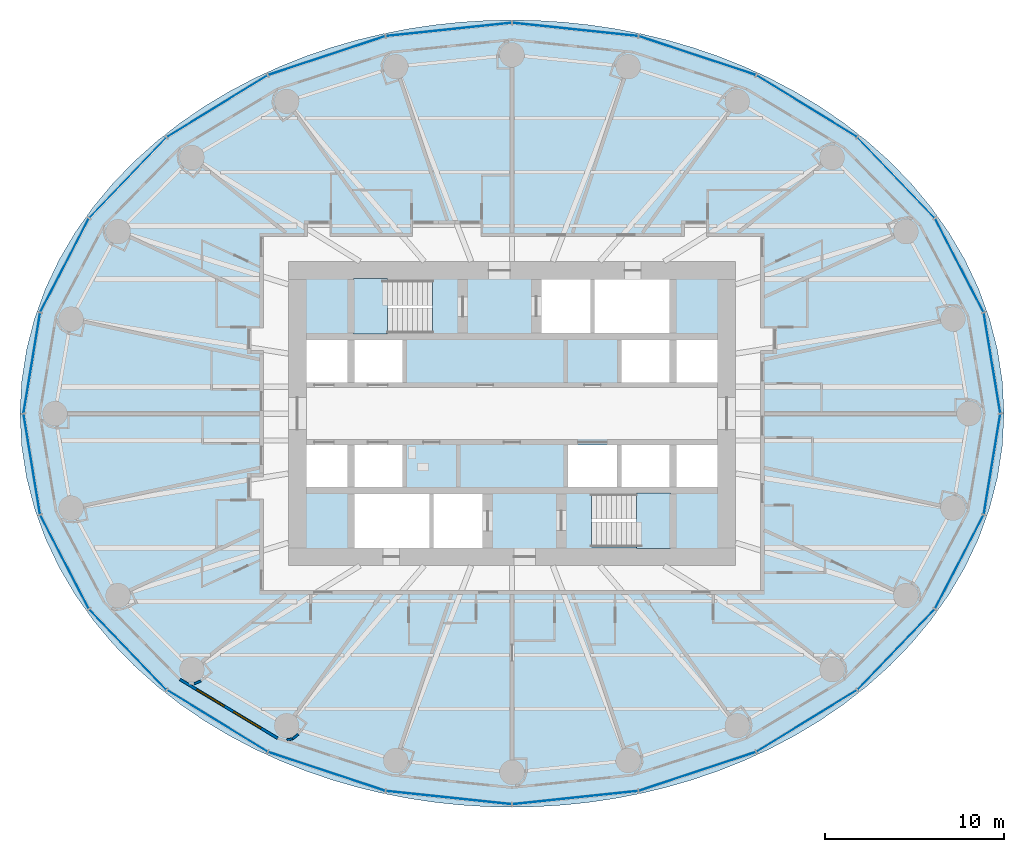
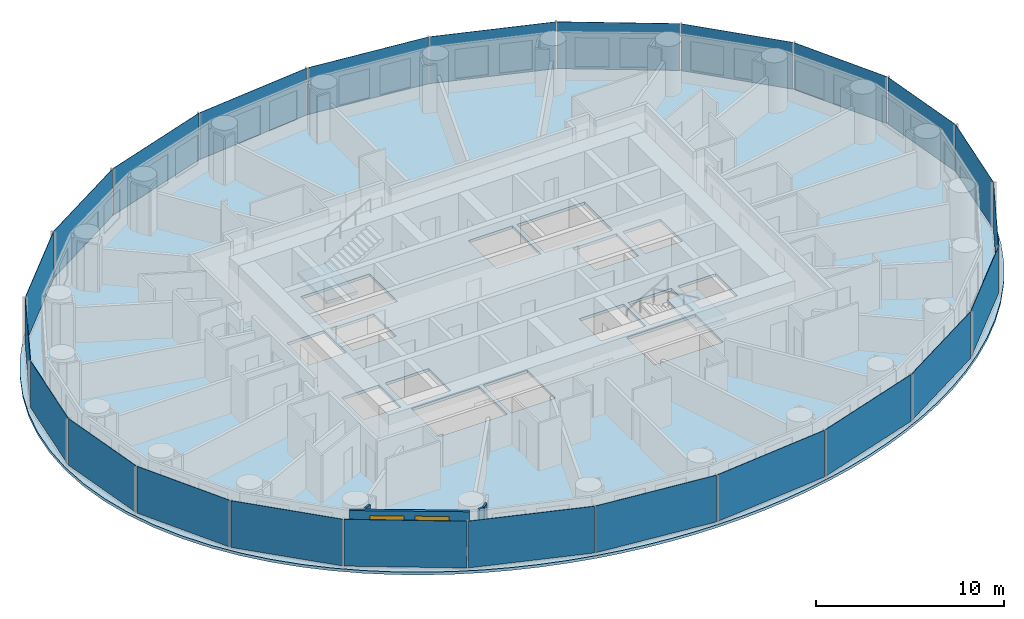
# One storey, part 5 of 16: 24 plates, 4 walls, 3 slabs, 2 windows, 2 openings, 6 elements without a shape of their own.
"""IFC4 building model written with IfcOpenShell, lengths in metres."""

import ifcopenshell
import ifcopenshell.guid

model = None  # the IFC model being written
_history = None  # IfcOwnerHistory: only IFC2X3 demands one
_inside = {}  # id of a spatial element -> (the spatial element, [elements in it])
_under = {}  # id of a project, library or spatial element -> (it, [spatial elements below it])
_declared = {}  # id of a project -> (the project, [libraries it declares])
_typed = {}  # id of a type object -> (the type object, [elements of that type])
_made_of = {}  # id of a material, layer set ... -> (it, [elements and type objects made of it])


def new_model(schema):
    """Start an empty IFC model of exactly this schema.

    Asked for "IFC4X3", IfcOpenShell would pick the latest addendum, in which some entities
    have other attributes; the version numbers below select the first issue.
    IFC2X3 requires an IfcOwnerHistory on every rooted entity: one is made here for all.
    """
    global model, _history
    if schema == "IFC4X3":
        model = ifcopenshell.file(schema_version=(4, 3, 0, 0))
    else:
        model = ifcopenshell.file(schema=schema)
    _inside.clear()
    _under.clear()
    _declared.clear()
    _typed.clear()
    _made_of.clear()
    _history = None
    if model.schema == "IFC2X3":
        org = make("IfcOrganization", Name="unknown")
        user = make(
            "IfcPersonAndOrganization",
            ThePerson=make("IfcPerson", FamilyName="unknown"),
            TheOrganization=org,
        )
        app = make(
            "IfcApplication",
            ApplicationDeveloper=org,
            Version="unknown",
            ApplicationFullName="unknown",
            ApplicationIdentifier="unknown",
        )
        _history = make(
            "IfcOwnerHistory",
            OwningUser=user,
            OwningApplication=app,
            ChangeAction="ADDED",
            CreationDate=0,
        )
    return model


def make(cls, **values):
    """One entity of the class cls with the attributes given. An attribute that is None is left unset."""
    return model.create_entity(
        cls, **{name: value for name, value in values.items() if value is not None}
    )


def rooted(cls, **values):
    """An entity with a GlobalId (a new one), such as an element, a storey or a relation."""
    return make(cls, GlobalId=ifcopenshell.guid.new(), OwnerHistory=_history, **values)


def si_unit(unit_type, name, prefix=None):
    """IfcSIUnit, for example si_unit("LENGTHUNIT", "METRE", prefix="MILLI")."""
    return make("IfcSIUnit", UnitType=unit_type, Prefix=prefix, Name=name)


def assignment(units):
    """IfcUnitAssignment: the units of a project."""
    return None if units is None else make("IfcUnitAssignment", Units=units)


def point(xyz):
    """IfcCartesianPoint."""
    return None if xyz is None else make("IfcCartesianPoint", Coordinates=xyz)


def direction(xyz):
    """IfcDirection."""
    return None if xyz is None else make("IfcDirection", DirectionRatios=xyz)


def frame(location, z_axis=None, x_axis=None):
    """IfcAxis2Placement3D, a coordinate frame: its origin and axes. An axis left out is left unset."""
    return make(
        "IfcAxis2Placement3D",
        Location=point(location),
        Axis=direction(z_axis),
        RefDirection=direction(x_axis),
    )


def frame_2d(location, x_axis=None):
    """IfcAxis2Placement2D, a coordinate frame in the plane: its origin and x axis."""
    return make(
        "IfcAxis2Placement2D", Location=point(location), RefDirection=direction(x_axis)
    )


def origin():
    """The frame at (0, 0, 0) with its axes left unset."""
    return frame((0.0, 0.0, 0.0))


def origin_2d():
    """The frame at (0, 0) in the plane with its x axis left unset."""
    return frame_2d((0.0, 0.0))


def place(relative_to, where):
    """IfcLocalPlacement: puts the frame where relative to a parent placement (None: the world)."""
    return make(
        "IfcLocalPlacement", PlacementRelTo=relative_to, RelativePlacement=where
    )


def context(
    kind, dimensions, precision=None, world=None, true_north=None, identifier=None
):
    """IfcGeometricRepresentationContext, for example the 3D "Model" context."""
    return make(
        "IfcGeometricRepresentationContext",
        ContextIdentifier=identifier,
        ContextType=kind,
        CoordinateSpaceDimension=dimensions,
        Precision=precision,
        WorldCoordinateSystem=world,
        TrueNorth=true_north,
    )


def subcontext(parent, identifier, kind, view, scale=None):
    """IfcGeometricRepresentationSubContext, for example "Body" below "Model"."""
    return make(
        "IfcGeometricRepresentationSubContext",
        ContextIdentifier=identifier,
        ContextType=kind,
        ParentContext=parent,
        TargetScale=scale,
        TargetView=view,
    )


def project(units=None, contexts=None):
    """IfcProject with its units and contexts."""
    return rooted(
        "IfcProject",
        Name="project",
        RepresentationContexts=contexts,
        UnitsInContext=assignment(units),
    )


def spatial(cls, under=None, at=None, **own):
    """A site, building, storey or space (cls), placed at a placement, below another one or the project."""
    s = rooted(cls, ObjectPlacement=at, **own)
    if under is not None:
        _under.setdefault(under.id(), (under, []))[1].append(s)
    return s


def polyline(points):
    """IfcPolyline through the points."""
    return make("IfcPolyline", Points=[point(p) for p in points])


def profile(cls, at=None, kind="AREA", **sizes):
    """A parametric profile (cls). Its sizes go by their IFC names, for example OverallWidth=200.0."""
    return make(cls, ProfileType=kind, Position=at, **sizes)


def rectangle(**sizes):
    """IfcRectangleProfileDef."""
    return profile("IfcRectangleProfileDef", **sizes)


def outline(outer, holes=None, kind="AREA"):
    """IfcArbitraryClosedProfileDef: a profile drawn as a closed curve; with holes, ...WithVoids."""
    if holes is None:
        return make("IfcArbitraryClosedProfileDef", ProfileType=kind, OuterCurve=outer)
    return make(
        "IfcArbitraryProfileDefWithVoids",
        ProfileType=kind,
        OuterCurve=outer,
        InnerCurves=holes,
    )


def extrude(swept, where, along, depth):
    """IfcExtrudedAreaSolid: the profile swept, set in the frame where, extruded along a direction by depth."""
    return make(
        "IfcExtrudedAreaSolid",
        SweptArea=swept,
        Position=where,
        ExtrudedDirection=direction(along),
        Depth=depth,
    )


def shape(context_of_items, identifier, shape_type, items):
    """IfcShapeRepresentation: the items that make up one representation, for example the "Body"."""
    return make(
        "IfcShapeRepresentation",
        ContextOfItems=context_of_items,
        RepresentationIdentifier=identifier,
        RepresentationType=shape_type,
        Items=items,
    )


def material(Name=None, Category=None):
    """IfcMaterial."""
    return make("IfcMaterial", Name=Name, Category=Category)


def layer(
    of_material, thickness, ventilated=None, Name=None, Category=None, Priority=None
):
    """IfcMaterialLayer: one layer of a wall or slab, of a material (None: an air gap)."""
    return make(
        "IfcMaterialLayer",
        Material=of_material,
        LayerThickness=thickness,
        IsVentilated=ventilated,
        Name=Name,
        Category=Category,
        Priority=Priority,
    )


def layer_set(layers, Name=None):
    """IfcMaterialLayerSet."""
    return make("IfcMaterialLayerSet", MaterialLayers=layers, LayerSetName=Name)


def made_of(thing, what):
    """Note that an element or type object is made of a material, layer set ...; save() writes the relation."""
    if what is not None:
        _made_of.setdefault(what.id(), (what, []))[1].append(thing)
    return thing


def type_object(cls, material=None, **own):
    """A type object (cls), such as IfcWallType, which elements share."""
    return made_of(rooted(cls, **own), material)


def element(
    cls,
    number,
    at=None,
    inside=None,
    cuts=None,
    type_object=None,
    material=None,
    context=None,
    identifier="Body",
    shape_type=None,
    held_by="IfcProductDefinitionShape",
    body=None,
    shapes=None,
    **own,
):
    """One element of the class cls, such as IfcWall. Its Tag is "e" and its number.

    at: its placement. inside: the storey or other place that contains it. cuts: it is an
    opening in that element (IfcRelVoidsElement). A single representation is given by context,
    identifier, shape_type and body (its items); several are given by shapes. held_by: the class
    of the entity that holds the representations. save() writes the other relations.
    """
    e = rooted(cls, Tag="e%d" % number, ObjectPlacement=at, **own)
    if body is not None:
        shapes = [shape(context, identifier, shape_type, body)]
    if shapes is not None:
        e.Representation = make(held_by, Representations=shapes)
    if inside is not None:
        _inside.setdefault(inside.id(), (inside, []))[1].append(e)
    if cuts is not None:
        rooted(
            "IfcRelVoidsElement", RelatingBuildingElement=cuts, RelatedOpeningElement=e
        )
    if type_object is not None:
        _typed.setdefault(type_object.id(), (type_object, []))[1].append(e)
    return made_of(e, material)


def fill(opening, filler):
    """IfcRelFillsElement: the door or window that sits in an opening."""
    return rooted(
        "IfcRelFillsElement",
        RelatingOpeningElement=opening,
        RelatedBuildingElement=filler,
    )


def aggregate(whole, parts):
    """IfcRelAggregates: a whole, such as a stair, and the parts it consists of."""
    return rooted("IfcRelAggregates", RelatingObject=whole, RelatedObjects=parts)


def save(model, path):
    """Write the relations noted so far, then the file.

    IfcRelAggregates (storeys below a building ...), IfcRelContainedInSpatialStructure (elements
    in a storey), IfcRelDefinesByType, IfcRelAssociatesMaterial and IfcRelDeclares: one each for
    every whole, place, type object, material and project.
    """
    for whole, parts in _under.values():
        aggregate(whole, parts)
    for where, things in _inside.values():
        rooted(
            "IfcRelContainedInSpatialStructure",
            RelatedElements=things,
            RelatingStructure=where,
        )
    for kind, things in _typed.values():
        rooted("IfcRelDefinesByType", RelatedObjects=things, RelatingType=kind)
    for what, things in _made_of.values():
        rooted("IfcRelAssociatesMaterial", RelatedObjects=things, RelatingMaterial=what)
    for by, libraries in _declared.values():
        rooted("IfcRelDeclares", RelatingContext=by, RelatedDefinitions=libraries)
    model.write(path)


model = new_model("IFC4")

# Units and contexts
model_context = context("Model", 3, precision=1e-05, world=origin(), true_north=direction((0.0, 1.0)))
body_context = subcontext(model_context, "Body", "Model", "MODEL_VIEW")
ifc_project = project(units=[si_unit("LENGTHUNIT", "METRE"), si_unit("AREAUNIT", "SQUARE_METRE"), si_unit("VOLUMEUNIT", "CUBIC_METRE"), si_unit("PLANEANGLEUNIT", "RADIAN"), si_unit("MASSUNIT", "GRAM", prefix="KILO")], contexts=[model_context])

# Site, building, storey
site_placement = place(None, origin())
site = spatial("IfcSite", under=ifc_project, at=site_placement, CompositionType="ELEMENT")
building_placement = place(site_placement, origin())
building = spatial("IfcBuilding", under=site, at=building_placement, Name="Hankou Lantern Tower", CompositionType="ELEMENT")
storey_placement = place(building_placement, frame((0.0, 0.0, 73.800048828125)))
storey = spatial("IfcBuildingStorey", under=building, at=storey_placement, Name="L18", CompositionType="ELEMENT", Elevation=73.800048828125)

# Curtain wall, plates
ifc_material_1 = material(Name="Glass, dark grey tinted laminated", Category="glass")
curtain_wall_type = type_object("IfcCurtainWallType", Name="CWA OUTER SKIN LOW-RISE", PredefinedType="USERDEFINED", material=ifc_material_1)
curtain_wall_1_placement = place(storey_placement, origin())
curtain_wall_1 = element("IfcCurtainWall", 1, at=curtain_wall_1_placement, inside=storey, type_object=curtain_wall_type, Name="CWA L18 OS1", ObjectType="OUTER SKIN LOW-RISE", PredefinedType="USERDEFINED")
ifc_material_2 = material(Name="Glass, dark grey tinted laminated", Category="glass")
ifc_layer_1 = layer(ifc_material_2, 0.02392578125)
ifc_layer_set_1 = layer_set([ifc_layer_1], Name="Glass, dark grey tinted laminated")
plate_type = type_object("IfcPlateType", Name="PN1 OUTER SKIN GLASS PANEL", PredefinedType="CURTAIN_PANEL", material=ifc_layer_set_1)
plate_1_placement = place(storey_placement, frame((26.8349609375, 2.826416015625, 0.079833984375), z_axis=(0.0, 0.0, 1.0), x_axis=(-0.162381515188, 0.986728049427, 0.0)))
plate_1 = element("IfcPlate", 2, at=plate_1_placement, type_object=plate_type, Name="CWA glass panel 1", PredefinedType="CURTAIN_PANEL", context=body_context, shape_type="SweptSolid", body=[
    extrude(rectangle(XDim=5.648681640625, YDim=0.02392578125, at=origin_2d()), origin(), (0.0, 0.0, 1.0), 3.0400390625),
])
plate_2_placement = place(storey_placement, frame((25.006103515625, 8.286376953125, 0.079833984375), z_axis=(0.0, 0.0, 1.0), x_axis=(-0.459791091957, 0.888027112062, 0.0)))
plate_2 = element("IfcPlate", 3, at=plate_2_placement, type_object=plate_type, Name="CWA glass panel 2", PredefinedType="CURTAIN_PANEL", context=body_context, shape_type="SweptSolid", body=[
    extrude(rectangle(XDim=5.8515625, YDim=0.02392578125, at=origin_2d()), origin(), (0.0, 0.0, 1.0), 3.0400390625),
])
plate_3_placement = place(storey_placement, frame((21.47314453125, 13.181640625, 0.079833984375), z_axis=(0.0, 0.0, 1.0), x_axis=(-0.692215809936, 0.721690565599, 0.0)))
plate_3 = element("IfcPlate", 4, at=plate_3_placement, type_object=plate_type, Name="CWA glass panel 3", PredefinedType="CURTAIN_PANEL", context=body_context, shape_type="SweptSolid", body=[
    extrude(rectangle(XDim=6.1875, YDim=0.02392578125, at=origin_2d()), origin(), (0.0, 0.0, 1.0), 3.0400390625),
])
plate_4_placement = place(storey_placement, frame((16.47705078125, 17.1787109375, 0.079833984375), z_axis=(0.0, 0.0, 1.0), x_axis=(-0.852237151549, 0.523155653242, 0.0)))
plate_4 = element("IfcPlate", 5, at=plate_4_placement, type_object=plate_type, Name="CWA glass panel 4", PredefinedType="CURTAIN_PANEL", context=body_context, shape_type="SweptSolid", body=[
    extrude(rectangle(XDim=6.554443359375, YDim=0.02392578125, at=origin_2d()), origin(), (0.0, 0.0, 1.0), 3.0400390625),
])
plate_5_placement = place(storey_placement, frame((10.35791015625, 20.0048828125, 0.079833984375), z_axis=(0.0, 0.0, 1.0), x_axis=(-0.949240677293, 0.31455068999, 0.0)))
plate_5 = element("IfcPlate", 6, at=plate_5_placement, type_object=plate_type, Name="CWA glass panel 5", PredefinedType="CURTAIN_PANEL", context=body_context, shape_type="SweptSolid", body=[
    extrude(rectangle(XDim=6.856201171875, YDim=0.02392578125, at=origin_2d()), origin(), (0.0, 0.0, 1.0), 3.0400390625),
])
plate_6_placement = place(storey_placement, frame((3.532958984375, 21.468017578125, 0.079833984375), z_axis=(0.0, 0.0, 1.0), x_axis=(-0.994499359107, 0.104742659579, 0.0)))
plate_6 = element("IfcPlate", 7, at=plate_6_placement, type_object=plate_type, Name="CWA glass panel 6", PredefinedType="CURTAIN_PANEL", context=body_context, shape_type="SweptSolid", body=[
    extrude(rectangle(XDim=7.02490234375, YDim=0.02392578125, at=origin_2d()), origin(), (0.0, 0.0, 1.0), 3.0400390625),
])
aggregate(curtain_wall_1, [plate_1, plate_2, plate_3, plate_4, plate_5, plate_6])

curtain_wall_2_placement = place(storey_placement, origin())
curtain_wall_2 = element("IfcCurtainWall", 8, at=curtain_wall_2_placement, inside=storey, type_object=curtain_wall_type, Name="CWA L18 OS2", ObjectType="OUTER SKIN LOW-RISE", PredefinedType="USERDEFINED")
plate_7_placement = place(storey_placement, frame((-3.532958984375, 21.468017578125, 0.079833984375), z_axis=(0.0, 0.0, 1.0), x_axis=(-0.994499359107, -0.104742659579, 0.0)))
plate_7 = element("IfcPlate", 9, at=plate_7_placement, type_object=plate_type, Name="CWA glass panel 1", PredefinedType="CURTAIN_PANEL", context=body_context, shape_type="SweptSolid", body=[
    extrude(rectangle(XDim=7.02490234375, YDim=0.02392578125, at=origin_2d()), origin(), (0.0, 0.0, 1.0), 3.0400390625),
])
plate_8_placement = place(storey_placement, frame((-10.35791015625, 20.0048828125, 0.079833984375), z_axis=(0.0, 0.0, 1.0), x_axis=(-0.949240677293, -0.31455068999, 0.0)))
plate_8 = element("IfcPlate", 10, at=plate_8_placement, type_object=plate_type, Name="CWA glass panel 2", PredefinedType="CURTAIN_PANEL", context=body_context, shape_type="SweptSolid", body=[
    extrude(rectangle(XDim=6.856201171875, YDim=0.02392578125, at=origin_2d()), origin(), (0.0, 0.0, 1.0), 3.0400390625),
])
plate_9_placement = place(storey_placement, frame((-16.47705078125, 17.1787109375, 0.079833984375), z_axis=(0.0, 0.0, 1.0), x_axis=(-0.852237151549, -0.523155653242, 0.0)))
plate_9 = element("IfcPlate", 11, at=plate_9_placement, type_object=plate_type, Name="CWA glass panel 3", PredefinedType="CURTAIN_PANEL", context=body_context, shape_type="SweptSolid", body=[
    extrude(rectangle(XDim=6.554443359375, YDim=0.02392578125, at=origin_2d()), origin(), (0.0, 0.0, 1.0), 3.0400390625),
])
plate_10_placement = place(storey_placement, frame((-21.47314453125, 13.181640625, 0.079833984375), z_axis=(0.0, 0.0, 1.0), x_axis=(-0.692215809936, -0.721690565599, 0.0)))
plate_10 = element("IfcPlate", 12, at=plate_10_placement, type_object=plate_type, Name="CWA glass panel 4", PredefinedType="CURTAIN_PANEL", context=body_context, shape_type="SweptSolid", body=[
    extrude(rectangle(XDim=6.1875, YDim=0.02392578125, at=origin_2d()), origin(), (0.0, 0.0, 1.0), 3.0400390625),
])
plate_11_placement = place(storey_placement, frame((-25.006103515625, 8.286376953125, 0.079833984375), z_axis=(0.0, 0.0, 1.0), x_axis=(-0.459791091957, -0.888027112062, 0.0)))
plate_11 = element("IfcPlate", 13, at=plate_11_placement, type_object=plate_type, Name="CWA glass panel 5", PredefinedType="CURTAIN_PANEL", context=body_context, shape_type="SweptSolid", body=[
    extrude(rectangle(XDim=5.8515625, YDim=0.02392578125, at=origin_2d()), origin(), (0.0, 0.0, 1.0), 3.0400390625),
])
plate_12_placement = place(storey_placement, frame((-26.8349609375, 2.826416015625, 0.079833984375), z_axis=(0.0, 0.0, 1.0), x_axis=(-0.162381515188, -0.986728049427, 0.0)))
plate_12 = element("IfcPlate", 14, at=plate_12_placement, type_object=plate_type, Name="CWA glass panel 6", PredefinedType="CURTAIN_PANEL", context=body_context, shape_type="SweptSolid", body=[
    extrude(rectangle(XDim=5.648681640625, YDim=0.02392578125, at=origin_2d()), origin(), (0.0, 0.0, 1.0), 3.0400390625),
])
aggregate(curtain_wall_2, [plate_7, plate_8, plate_9, plate_10, plate_11, plate_12])

curtain_wall_3_placement = place(storey_placement, origin())
curtain_wall_3 = element("IfcCurtainWall", 15, at=curtain_wall_3_placement, inside=storey, type_object=curtain_wall_type, Name="CWA L18 OS3", ObjectType="OUTER SKIN LOW-RISE", PredefinedType="USERDEFINED")
plate_13_placement = place(storey_placement, frame((-26.8349609375, -2.826416015625, 0.079833984375), z_axis=(0.0, 0.0, 1.0), x_axis=(0.162381515188, -0.986728049427, 0.0)))
plate_13 = element("IfcPlate", 16, at=plate_13_placement, type_object=plate_type, Name="CWA glass panel 1", PredefinedType="CURTAIN_PANEL", context=body_context, shape_type="SweptSolid", body=[
    extrude(rectangle(XDim=5.648681640625, YDim=0.02392578125, at=origin_2d()), origin(), (0.0, 0.0, 1.0), 3.0400390625),
])
plate_14_placement = place(storey_placement, frame((-25.006103515625, -8.286376953125, 0.079833984375), z_axis=(0.0, 0.0, 1.0), x_axis=(0.459791091957, -0.888027112062, 0.0)))
plate_14 = element("IfcPlate", 17, at=plate_14_placement, type_object=plate_type, Name="CWA glass panel 2", PredefinedType="CURTAIN_PANEL", context=body_context, shape_type="SweptSolid", body=[
    extrude(rectangle(XDim=5.8515625, YDim=0.02392578125, at=origin_2d()), origin(), (0.0, 0.0, 1.0), 3.0400390625),
])
plate_15_placement = place(storey_placement, frame((-21.47314453125, -13.181640625, 0.079833984375), z_axis=(0.0, 0.0, 1.0), x_axis=(0.692215809936, -0.721690565599, 0.0)))
plate_15 = element("IfcPlate", 18, at=plate_15_placement, type_object=plate_type, Name="CWA glass panel 3", PredefinedType="CURTAIN_PANEL", context=body_context, shape_type="SweptSolid", body=[
    extrude(rectangle(XDim=6.1875, YDim=0.02392578125, at=origin_2d()), origin(), (0.0, 0.0, 1.0), 3.0400390625),
])
plate_16_placement = place(storey_placement, frame((-16.47705078125, -17.1787109375, 0.079833984375), z_axis=(0.0, 0.0, 1.0), x_axis=(0.852237151549, -0.523155653242, 0.0)))
plate_16 = element("IfcPlate", 19, at=plate_16_placement, type_object=plate_type, Name="CWA glass panel 4", PredefinedType="CURTAIN_PANEL", context=body_context, shape_type="SweptSolid", body=[
    extrude(rectangle(XDim=6.554443359375, YDim=0.02392578125, at=origin_2d()), origin(), (0.0, 0.0, 1.0), 3.0400390625),
])
plate_17_placement = place(storey_placement, frame((-10.35791015625, -20.0048828125, 0.079833984375), z_axis=(0.0, 0.0, 1.0), x_axis=(0.949240677293, -0.31455068999, 0.0)))
plate_17 = element("IfcPlate", 20, at=plate_17_placement, type_object=plate_type, Name="CWA glass panel 5", PredefinedType="CURTAIN_PANEL", context=body_context, shape_type="SweptSolid", body=[
    extrude(rectangle(XDim=6.856201171875, YDim=0.02392578125, at=origin_2d()), origin(), (0.0, 0.0, 1.0), 3.0400390625),
])
plate_18_placement = place(storey_placement, frame((-3.532958984375, -21.468017578125, 0.079833984375), z_axis=(0.0, 0.0, 1.0), x_axis=(0.994499359107, -0.104742659579, 0.0)))
plate_18 = element("IfcPlate", 21, at=plate_18_placement, type_object=plate_type, Name="CWA glass panel 6", PredefinedType="CURTAIN_PANEL", context=body_context, shape_type="SweptSolid", body=[
    extrude(rectangle(XDim=7.02490234375, YDim=0.02392578125, at=origin_2d()), origin(), (0.0, 0.0, 1.0), 3.0400390625),
])
aggregate(curtain_wall_3, [plate_13, plate_14, plate_15, plate_16, plate_17, plate_18])

curtain_wall_4_placement = place(storey_placement, origin())
curtain_wall_4 = element("IfcCurtainWall", 22, at=curtain_wall_4_placement, inside=storey, type_object=curtain_wall_type, Name="CWA L18 OS4", ObjectType="OUTER SKIN LOW-RISE", PredefinedType="USERDEFINED")
plate_19_placement = place(storey_placement, frame((3.532958984375, -21.468017578125, 0.079833984375), z_axis=(0.0, 0.0, 1.0), x_axis=(0.994499359107, 0.104742659579, 0.0)))
plate_19 = element("IfcPlate", 23, at=plate_19_placement, type_object=plate_type, Name="CWA glass panel 1", PredefinedType="CURTAIN_PANEL", context=body_context, shape_type="SweptSolid", body=[
    extrude(rectangle(XDim=7.02490234375, YDim=0.02392578125, at=origin_2d()), origin(), (0.0, 0.0, 1.0), 3.0400390625),
])
plate_20_placement = place(storey_placement, frame((10.35791015625, -20.0048828125, 0.079833984375), z_axis=(0.0, 0.0, 1.0), x_axis=(0.949240677293, 0.31455068999, 0.0)))
plate_20 = element("IfcPlate", 24, at=plate_20_placement, type_object=plate_type, Name="CWA glass panel 2", PredefinedType="CURTAIN_PANEL", context=body_context, shape_type="SweptSolid", body=[
    extrude(rectangle(XDim=6.856201171875, YDim=0.02392578125, at=origin_2d()), origin(), (0.0, 0.0, 1.0), 3.0400390625),
])
plate_21_placement = place(storey_placement, frame((16.47705078125, -17.1787109375, 0.079833984375), z_axis=(0.0, 0.0, 1.0), x_axis=(0.852237151549, 0.523155653242, 0.0)))
plate_21 = element("IfcPlate", 25, at=plate_21_placement, type_object=plate_type, Name="CWA glass panel 3", PredefinedType="CURTAIN_PANEL", context=body_context, shape_type="SweptSolid", body=[
    extrude(rectangle(XDim=6.554443359375, YDim=0.02392578125, at=origin_2d()), origin(), (0.0, 0.0, 1.0), 3.0400390625),
])
plate_22_placement = place(storey_placement, frame((21.47314453125, -13.181640625, 0.079833984375), z_axis=(0.0, 0.0, 1.0), x_axis=(0.692215809936, 0.721690565599, 0.0)))
plate_22 = element("IfcPlate", 26, at=plate_22_placement, type_object=plate_type, Name="CWA glass panel 4", PredefinedType="CURTAIN_PANEL", context=body_context, shape_type="SweptSolid", body=[
    extrude(rectangle(XDim=6.1875, YDim=0.02392578125, at=origin_2d()), origin(), (0.0, 0.0, 1.0), 3.0400390625),
])
plate_23_placement = place(storey_placement, frame((25.006103515625, -8.286376953125, 0.079833984375), z_axis=(0.0, 0.0, 1.0), x_axis=(0.459791091957, 0.888027112062, 0.0)))
plate_23 = element("IfcPlate", 27, at=plate_23_placement, type_object=plate_type, Name="CWA glass panel 5", PredefinedType="CURTAIN_PANEL", context=body_context, shape_type="SweptSolid", body=[
    extrude(rectangle(XDim=5.8515625, YDim=0.02392578125, at=origin_2d()), origin(), (0.0, 0.0, 1.0), 3.0400390625),
])
plate_24_placement = place(storey_placement, frame((26.8349609375, -2.826416015625, 0.079833984375), z_axis=(0.0, 0.0, 1.0), x_axis=(0.162381515188, 0.986728049427, 0.0)))
plate_24 = element("IfcPlate", 28, at=plate_24_placement, type_object=plate_type, Name="CWA glass panel 6", PredefinedType="CURTAIN_PANEL", context=body_context, shape_type="SweptSolid", body=[
    extrude(rectangle(XDim=5.648681640625, YDim=0.02392578125, at=origin_2d()), origin(), (0.0, 0.0, 1.0), 3.0400390625),
])
aggregate(curtain_wall_4, [plate_19, plate_20, plate_21, plate_22, plate_23, plate_24])

# Slab
ifc_material_3 = material(Name="Concrete C50", Category="concrete")
ifc_layer_2 = layer(ifc_material_3, 0.179931640625)
ifc_layer_set_2 = layer_set([ifc_layer_2], Name="Concrete C50")
slab_type_1 = type_object("IfcSlabType", Name="S1 CONCRETE FLOOR SLAB 180", PredefinedType="FLOOR", material=ifc_layer_set_2)
slab_1_placement = place(storey_placement, frame((0.0, 0.0, -0.179931640625)))
element("IfcSlab", 29, at=slab_1_placement, inside=storey, type_object=slab_type_1, Name="Floor slab L18", PredefinedType="FLOOR", context=body_context, shape_type="SweptSolid", body=[
    extrude(outline(polyline([(27.5, 0.0), (27.408203125, 1.79638671875), (27.135009765625, 3.572509765625), (26.6875, 5.308349609375), (26.076171875, 6.987060546875), (25.3154296875, 8.593505859375), (24.420654296875, 10.115478515625), (23.40966796875, 11.54443359375), (22.29931640625, 12.87451171875), (21.1064453125, 14.102783203125), (19.846435546875, 15.228759765625), (18.533447265625, 16.25341796875), (17.17919921875, 17.17919921875), (15.794189453125, 18.009765625), (14.38671875, 18.749267578125), (12.964111328125, 19.402099609375), (11.53125, 19.972412109375), (10.09228515625, 20.46484375), (8.650146484375, 20.88330078125), (7.20703125, 21.23095703125), (5.763916015625, 21.51123046875), (4.32177734375, 21.7265625), (2.88037109375, 21.87890625), (1.43994140625, 21.9697265625), (0.0, 22.0), (-1.43994140625, 21.9697265625), (-2.88037109375, 21.87890625), (-4.32177734375, 21.7265625), (-5.763916015625, 21.51123046875), (-7.20703125, 21.23095703125), (-8.650146484375, 20.88330078125), (-10.09228515625, 20.46484375), (-11.53125, 19.972412109375), (-12.964111328125, 19.402099609375), (-14.38671875, 18.749267578125), (-15.794189453125, 18.009765625), (-17.17919921875, 17.17919921875), (-18.533447265625, 16.25341796875), (-19.846435546875, 15.228759765625), (-21.1064453125, 14.102783203125), (-22.29931640625, 12.87451171875), (-23.40966796875, 11.54443359375), (-24.420654296875, 10.115478515625), (-25.3154296875, 8.593505859375), (-26.076171875, 6.987060546875), (-26.6875, 5.308349609375), (-27.135009765625, 3.572509765625), (-27.408203125, 1.79638671875), (-27.5, 0.0), (-27.408203125, -1.79638671875), (-27.135009765625, -3.572509765625), (-26.6875, -5.308349609375), (-26.076171875, -6.987060546875), (-25.3154296875, -8.593505859375), (-24.420654296875, -10.115478515625), (-23.40966796875, -11.54443359375), (-22.29931640625, -12.87451171875), (-21.1064453125, -14.102783203125), (-19.846435546875, -15.228759765625), (-18.533447265625, -16.25341796875), (-17.17919921875, -17.17919921875), (-15.794189453125, -18.009765625), (-14.38671875, -18.749267578125), (-12.964111328125, -19.402099609375), (-11.53125, -19.972412109375), (-10.09228515625, -20.46484375), (-8.650146484375, -20.88330078125), (-7.20703125, -21.23095703125), (-5.763916015625, -21.51123046875), (-4.32177734375, -21.7265625), (-2.88037109375, -21.87890625), (-1.43994140625, -21.9697265625), (0.0, -22.0), (1.43994140625, -21.9697265625), (2.88037109375, -21.87890625), (4.32177734375, -21.7265625), (5.763916015625, -21.51123046875), (7.20703125, -21.23095703125), (8.650146484375, -20.88330078125), (10.09228515625, -20.46484375), (11.53125, -19.972412109375), (12.964111328125, -19.402099609375), (14.38671875, -18.749267578125), (15.794189453125, -18.009765625), (17.17919921875, -17.17919921875), (18.533447265625, -16.25341796875), (19.846435546875, -15.228759765625), (21.1064453125, -14.102783203125), (22.29931640625, -12.87451171875), (23.40966796875, -11.54443359375), (24.420654296875, -10.115478515625), (25.3154296875, -8.593505859375), (26.076171875, -6.987060546875), (26.6875, -5.308349609375), (27.135009765625, -3.572509765625), (27.408203125, -1.79638671875), (27.5, 0.0)]), holes=[polyline([(-11.5, 4.10009765625), (-9.199951171875, 4.10009765625), (-9.199951171875, 1.75), (-11.5, 1.75), (-11.5, 4.10009765625)]), polyline([(-8.800048828125, 4.10009765625), (-6.125, 4.10009765625), (-6.125, 1.75), (-8.800048828125, 1.75), (-8.800048828125, 4.10009765625)]), polyline([(6.125, 4.10009765625), (8.800048828125, 4.10009765625), (8.800048828125, 1.75), (6.125, 1.75), (6.125, 4.10009765625)]), polyline([(9.199951171875, 4.10009765625), (11.5, 4.10009765625), (11.5, 1.75), (9.199951171875, 1.75), (9.199951171875, 4.10009765625)]), polyline([(-11.5, -1.75), (-9.199951171875, -1.75), (-9.199951171875, -4.10009765625), (-11.5, -4.10009765625), (-11.5, -1.75)]), polyline([(-8.800048828125, -1.75), (-6.125, -1.75), (-6.125, -4.10009765625), (-8.800048828125, -4.10009765625), (-8.800048828125, -1.75)]), polyline([(3.125, -1.75), (5.875, -1.75), (5.875, -4.10009765625), (3.125, -4.10009765625), (3.125, -1.75)]), polyline([(6.125, -1.75), (8.800048828125, -1.75), (8.800048828125, -4.10009765625), (6.125, -4.10009765625), (6.125, -1.75)]), polyline([(9.199951171875, -1.75), (11.5, -1.75), (11.5, -4.10009765625), (9.199951171875, -4.10009765625), (9.199951171875, -1.75)]), polyline([(1.64990234375, 7.5), (4.375, 7.5), (4.375, 4.5), (1.64990234375, 4.5), (1.64990234375, 7.5)]), polyline([(-4.375, -4.5), (-1.64990234375, -4.5), (-1.64990234375, -7.5), (-4.375, -7.5), (-4.375, -4.5)]), polyline([(-8.699951171875, 7.449951171875), (-4.449951171875, 7.449951171875), (-4.449951171875, 4.5), (-8.699951171875, 4.5), (-8.699951171875, 7.449951171875)]), polyline([(4.449951171875, -4.5), (8.699951171875, -4.5), (8.699951171875, -7.449951171875), (4.449951171875, -7.449951171875), (4.449951171875, -4.5)]), polyline([(4.625, 7.5), (8.800048828125, 7.5), (8.800048828125, 4.5), (4.625, 4.5), (4.625, 7.5)]), polyline([(-8.800048828125, -4.5), (-4.625, -4.5), (-4.625, -7.5), (-8.800048828125, -7.5), (-8.800048828125, -4.5)])]), origin(), (0.0, 0.0, 1.0), 0.179931640625),
])

# Stair, slab
ifc_material_4 = material(Name="Concrete C40", Category="concrete")
stair_type = type_object("IfcStairType", Name="ST33 CORE STAIR 3300 RISE", PredefinedType="HALF_TURN_STAIR", material=ifc_material_4)
stair_1_placement = place(storey_placement, origin())
stair_1 = element("IfcStair", 30, at=stair_1_placement, inside=storey, type_object=stair_type, Name="Stair STA L18", PredefinedType="HALF_TURN_STAIR")
ifc_material_5 = material(Name="Concrete C40", Category="concrete")
ifc_layer_3 = layer(ifc_material_5, 0.199951171875)
ifc_layer_set_3 = layer_set([ifc_layer_3], Name="Concrete C40")
slab_type_2 = type_object("IfcSlabType", Name="SL1 STAIR LANDING 200", PredefinedType="LANDING", material=ifc_layer_set_3)
slab_2_placement = place(storey_placement, frame((0.0, 0.0, 1.371337890625)))
slab_2 = element("IfcSlab", 31, at=slab_2_placement, type_object=slab_type_2, Name="STA landing 1", PredefinedType="LANDING", context=body_context, shape_type="SweptSolid", body=[
    extrude(outline(polyline([(-8.85009765625, 4.449951171875), (-6.949951171875, 4.449951171875), (-6.949951171875, 7.550048828125), (-8.85009765625, 7.550048828125), (-8.85009765625, 4.449951171875)])), origin(), (0.0, 0.0, 1.0), 0.199951171875),
])
aggregate(stair_1, [slab_2])

stair_2_placement = place(storey_placement, origin())
stair_2 = element("IfcStair", 32, at=stair_2_placement, inside=storey, type_object=stair_type, Name="Stair STB L18", PredefinedType="HALF_TURN_STAIR")
slab_3_placement = place(storey_placement, frame((0.0, 0.0, 1.371337890625)))
slab_3 = element("IfcSlab", 33, at=slab_3_placement, type_object=slab_type_2, Name="STB landing 1", PredefinedType="LANDING", context=body_context, shape_type="SweptSolid", body=[
    extrude(outline(polyline([(8.85009765625, -4.449951171875), (6.949951171875, -4.449951171875), (6.949951171875, -7.550048828125), (8.85009765625, -7.550048828125), (8.85009765625, -4.449951171875)])), origin(), (0.0, 0.0, 1.0), 0.199951171875),
])
aggregate(stair_2, [slab_3])

# Wall, openings, windows
ifc_material_6 = material(Name="Aluminium spandrel panel on steel studs", Category="steel")
ifc_layer_4 = layer(ifc_material_6, 0.14990234375)
ifc_layer_set_4 = layer_set([ifc_layer_4], Name="Aluminium spandrel panel on steel studs")
wall_type_1 = type_object("IfcWallType", Name="EW1 INNER SKIN WALL 150", PredefinedType="ELEMENTEDWALL", material=ifc_layer_set_4)
wall_1_placement = place(storey_placement, frame((-18.569580078125, -14.855712890625, 0.0), z_axis=(0.0, 0.0, 1.0), x_axis=(0.856983180864, -0.515344377787, 0.0)))
wall_1 = element("IfcWall", 34, at=wall_1_placement, inside=storey, type_object=wall_type_1, Name="Inner skin R16-R17 L18", PredefinedType="ELEMENTEDWALL", context=body_context, shape_type="SweptSolid", body=[
    extrude(rectangle(XDim=6.386474609375, YDim=0.14990234375, at=frame_2d((3.193359375, 0.0))), origin(), (0.0, 0.0, 1.0), 3.119873046875),
])
opening_1_placement = place(wall_1_placement, frame((1.09326171875, 0.0, 0.89990234375)))
opening_1 = element("IfcOpeningElement", 35, at=opening_1_placement, cuts=wall_1, Name="Opening W1", PredefinedType="OPENING", context=body_context, shape_type="SweptSolid", body=[
    extrude(rectangle(XDim=1.800048828125, YDim=1.89990234375, at=frame_2d((0.89990234375, 0.949951171875))), frame((0.0, 0.0849609375, 0.0), z_axis=(0.0, -1.0, 0.0), x_axis=(1.0, 0.0, 0.0)), (0.0, 0.0, 1.0), 0.169921875),
])
opening_2_placement = place(wall_1_placement, frame((3.4931640625, 0.0, 0.89990234375)))
opening_2 = element("IfcOpeningElement", 36, at=opening_2_placement, cuts=wall_1, Name="Opening W1", PredefinedType="OPENING", context=body_context, shape_type="SweptSolid", body=[
    extrude(rectangle(XDim=1.800048828125, YDim=1.89990234375, at=frame_2d((0.89990234375, 0.949951171875))), frame((0.0, 0.0849609375, 0.0), z_axis=(0.0, -1.0, 0.0), x_axis=(1.0, 0.0, 0.0)), (0.0, 0.0, 1.0), 0.169921875),
])
ifc_material_7 = material(Name="Aluminium framed double glazed window", Category="aluminium")
window_type = type_object("IfcWindowType", Name="W1 GUEST ROOM WINDOW 1800X1900", PartitioningType="DOUBLE_PANEL_VERTICAL", PredefinedType="WINDOW", material=ifc_material_7)
window_1_placement = place(opening_1_placement, origin())
window_1 = element("IfcWindow", 37, at=window_1_placement, inside=storey, type_object=window_type, Name="Window R16.1 L18", OverallHeight=1.89990234375, OverallWidth=1.800048828125, PartitioningType="SINGLE_PANEL", PredefinedType="WINDOW", context=body_context, shape_type="SweptSolid", body=[
    extrude(rectangle(XDim=1.800048828125, YDim=1.89990234375, at=frame_2d((0.89990234375, 0.949951171875))), frame((0.0, 0.030029296875, 0.0), z_axis=(0.0, -1.0, 0.0), x_axis=(1.0, 0.0, 0.0)), (0.0, 0.0, 1.0), 0.06005859375),
])
fill(opening_1, window_1)
window_2_placement = place(opening_2_placement, origin())
window_2 = element("IfcWindow", 38, at=window_2_placement, inside=storey, type_object=window_type, Name="Window R16.2 L18", OverallHeight=1.89990234375, OverallWidth=1.800048828125, PartitioningType="SINGLE_PANEL", PredefinedType="WINDOW", context=body_context, shape_type="SweptSolid", body=[
    extrude(rectangle(XDim=1.800048828125, YDim=1.89990234375, at=frame_2d((0.89990234375, 0.949951171875))), frame((0.0, 0.030029296875, 0.0), z_axis=(0.0, -1.0, 0.0), x_axis=(1.0, 0.0, 0.0)), (0.0, 0.0, 1.0), 0.06005859375),
])
fill(opening_2, window_2)

# Walls
ifc_material_8 = material(Name="Masonry lightweight concrete block", Category="masonry")
ifc_layer_5 = layer(ifc_material_8, 0.1201171875)
ifc_layer_set_5 = layer_set([ifc_layer_5], Name="Masonry lightweight concrete block")
wall_type_2 = type_object("IfcWallType", Name="IW4 PARTITION 120", PredefinedType="PARTITIONING", material=ifc_layer_set_5)
wall_2_placement = place(storey_placement, frame((-17.38720703125, -14.94384765625, 0.0), z_axis=(0.0, 0.0, 1.0), x_axis=(-0.916036698064, -0.401094462441, 0.0)))
element("IfcWall", 39, at=wall_2_placement, inside=storey, type_object=wall_type_2, Name="Column casing R16", PredefinedType="PARTITIONING", context=body_context, shape_type="SweptSolid", body=[
    extrude(rectangle(XDim=0.418212890625, YDim=0.1201171875, at=frame_2d((0.208984375, 0.0))), origin(), (0.0, 0.0, 1.0), 3.119873046875),
])
wall_3_placement = place(storey_placement, frame((-11.93603515625, -17.9189453125, 0.0), z_axis=(0.0, 0.0, 1.0), x_axis=(-0.775023088441, -0.631932917629, 0.0)))
element("IfcWall", 40, at=wall_3_placement, inside=storey, type_object=wall_type_2, Name="Column casing R17", PredefinedType="PARTITIONING", context=body_context, shape_type="SweptSolid", body=[
    extrude(rectangle(XDim=0.41796875, YDim=0.1201171875, at=frame_2d((0.208984375, 0.0))), origin(), (0.0, 0.0, 1.0), 3.119873046875),
])
wall_4_placement = place(storey_placement, frame((-12.260009765625, -18.18310546875, 0.0), z_axis=(0.0, 0.0, 1.0), x_axis=(-0.987218661664, -0.159371622511, 0.0)))
element("IfcWall", 41, at=wall_4_placement, inside=storey, type_object=wall_type_2, Name="Column casing R17", PredefinedType="PARTITIONING", context=body_context, shape_type="SweptSolid", body=[
    extrude(rectangle(XDim=0.330810546875, YDim=0.1201171875, at=frame_2d((0.16552734375, 0.0))), origin(), (0.0, 0.0, 1.0), 3.119873046875),
])

save(model, "model.ifc")
